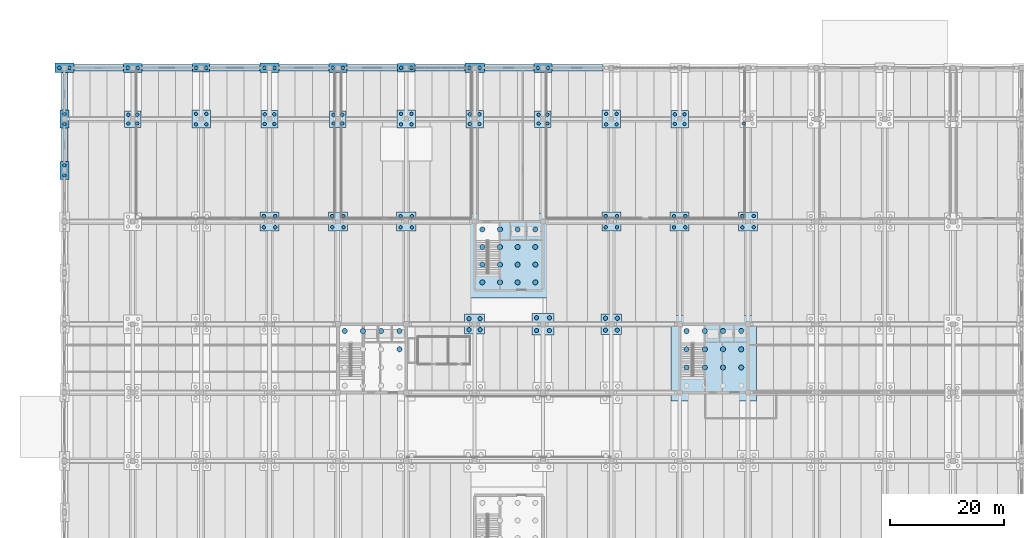
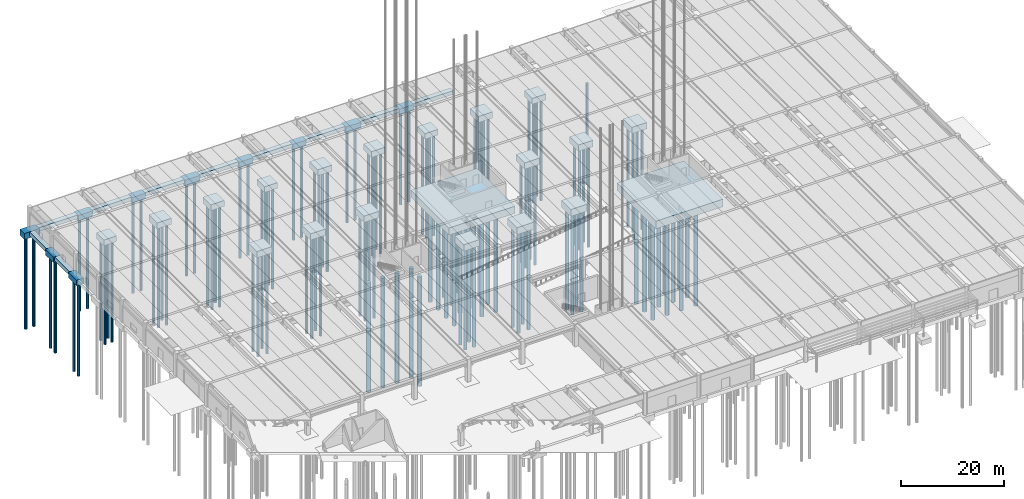
# One storey, part 3 of 59: 126 piles, 40 footings.
"""IFC4 building model written with IfcOpenShell, lengths in metres."""

from ifc_helpers import new_model, si_unit, direction, frame, origin, origin_2d, place, context, subcontext, project, spatial, rectangle, circle, extrude, material, material_profile, profile_set, type_object, element, save


model = new_model("IFC4")

# Units and contexts
model_context = context("Model", 3, precision=1e-05, world=origin(), true_north=direction((0.0, 1.0)))
body_context = subcontext(model_context, "Body", "Model", "MODEL_VIEW")
ifc_project = project(units=[si_unit("LENGTHUNIT", "METRE"), si_unit("AREAUNIT", "SQUARE_METRE"), si_unit("VOLUMEUNIT", "CUBIC_METRE"), si_unit("PLANEANGLEUNIT", "RADIAN"), si_unit("MASSUNIT", "GRAM", prefix="KILO")], contexts=[model_context])

# Site, building, storey
site_placement = place(None, origin())
site = spatial("IfcSite", under=ifc_project, at=site_placement, CompositionType="ELEMENT")
building_placement = place(site_placement, origin())
building = spatial("IfcBuilding", under=site, at=building_placement, Name="Girod Span Mobility Hub", CompositionType="ELEMENT")
storey_placement = place(building_placement, origin())
storey = spatial("IfcBuildingStorey", under=building, at=storey_placement, Name="L00", CompositionType="ELEMENT", Elevation=0.0)

# Footings
ifc_material_1 = material(Name="Concrete C40/50", Category="concrete")
footing_type_1 = type_object("IfcFootingType", Name="FT-MAT-1480", PredefinedType="PAD_FOOTING", material=ifc_material_1)
footing_1_placement = place(storey_placement, frame((78.0, 81.0, -1.7001953125), z_axis=(0.0, 0.0, 1.0), x_axis=(1.0, 0.0, 0.0)))
element("IfcFooting", 1, at=footing_1_placement, inside=storey, type_object=footing_type_1, Name="Core C4 Mat Foundation", PredefinedType="PAD_FOOTING", context=body_context, shape_type="SweptSolid", body=[
    extrude(rectangle(XDim=14.800048828125, YDim=14.800048828125, at=origin_2d()), origin(), (0.0, 0.0, 1.0), 1.699951171875),
])
ifc_material_2 = material(Name="Concrete C40/50", Category="concrete")
footing_type_2 = type_object("IfcFootingType", Name="FT-MAT-1500", PredefinedType="PAD_FOOTING", material=ifc_material_2)
footing_2_placement = place(storey_placement, frame((114.0, 63.0, -1.7998046875), z_axis=(0.0, 0.0, 1.0), x_axis=(1.0, 0.0, 0.0)))
element("IfcFooting", 2, at=footing_2_placement, inside=storey, type_object=footing_type_2, Name="Core C2 Mat Foundation", PredefinedType="PAD_FOOTING", context=body_context, shape_type="SweptSolid", body=[
    extrude(rectangle(XDim=15.0, YDim=15.0, at=origin_2d()), origin(), (0.0, 0.0, 1.0), 1.800048828125),
])
ifc_material_3 = material(Name="Concrete C40/50", Category="concrete")
footing_type_3 = type_object("IfcFootingType", Name="FT-PC2-1600X3200", PredefinedType="PILE_CAP", material=ifc_material_3)
for number, where, z_axis, x_axis, name in (
    (3, (0.0, 105.0, -1.35009765625), (0.0, 0.0, 1.0), (1.0, 0.0, 0.0), "Pile Cap 1H"),
    (4, (0.0, 96.0, -1.35009765625), (0.0, 0.0, 1.0), (1.0, 0.0, 0.0), "Pilaster Pile Cap PIL-W-96"),
):
    element("IfcFooting", number, at=place(storey_placement, frame(where, z_axis=z_axis, x_axis=x_axis)), inside=storey, type_object=footing_type_3, Name=name, PredefinedType="PILE_CAP", context=body_context, shape_type="SweptSolid", body=[
        extrude(rectangle(XDim=1.60009765625, YDim=3.199951171875, at=origin_2d()), origin(), (0.0, 0.0, 1.0), 1.35009765625),
    ])
ifc_material_4 = material(Name="Concrete C40/50", Category="concrete")
footing_type_4 = type_object("IfcFootingType", Name="FT-PC2-3000X1500", PredefinedType="PILE_CAP", material=ifc_material_4)
for number, where, z_axis, x_axis, name in (
    (5, (24.0, 114.0, -1.2998046875), (0.0, 0.0, 1.0), (1.0, 0.0, 0.0), "Pile Cap 3J"),
    (6, (60.0, 114.0, -1.2998046875), (0.0, 0.0, 1.0), (1.0, 0.0, 0.0), "Pile Cap 6J"),
):
    element("IfcFooting", number, at=place(storey_placement, frame(where, z_axis=z_axis, x_axis=x_axis)), inside=storey, type_object=footing_type_4, Name=name, PredefinedType="PILE_CAP", context=body_context, shape_type="SweptSolid", body=[
        extrude(rectangle(XDim=3.0, YDim=1.5, at=origin_2d()), origin(), (0.0, 0.0, 1.0), 1.300048828125),
    ])
ifc_material_5 = material(Name="Concrete C40/50", Category="concrete")
footing_type_5 = type_object("IfcFootingType", Name="FT-PC2-3200X1600", PredefinedType="PILE_CAP", material=ifc_material_5)
for number, where, z_axis, x_axis, name in (
    (7, (12.0, 114.0, -1.35009765625), (0.0, 0.0, 1.0), (1.0, 0.0, 0.0), "Pile Cap 2J"),
    (8, (48.0, 114.0, -1.35009765625), (0.0, 0.0, 1.0), (1.0, 0.0, 0.0), "Pile Cap 5J"),
    (9, (84.0, 114.0, -1.35009765625), (0.0, 0.0, 1.0), (1.0, 0.0, 0.0), "Pile Cap 8J"),
):
    element("IfcFooting", number, at=place(storey_placement, frame(where, z_axis=z_axis, x_axis=x_axis)), inside=storey, type_object=footing_type_5, Name=name, PredefinedType="PILE_CAP", context=body_context, shape_type="SweptSolid", body=[
        extrude(rectangle(XDim=3.199951171875, YDim=1.60009765625, at=origin_2d()), origin(), (0.0, 0.0, 1.0), 1.35009765625),
    ])
ifc_material_6 = material(Name="Concrete C40/50", Category="concrete")
footing_type_6 = type_object("IfcFootingType", Name="FT-PC2-3400X1700", PredefinedType="PILE_CAP", material=ifc_material_6)
for number, where, z_axis, x_axis, name in (
    (10, (0.0, 114.0, -1.39990234375), (0.0, 0.0, 1.0), (1.0, 0.0, 0.0), "Pile Cap 1J"),
    (11, (36.0, 114.0, -1.39990234375), (0.0, 0.0, 1.0), (1.0, 0.0, 0.0), "Pile Cap 4J"),
    (12, (72.0, 114.0, -1.39990234375), (0.0, 0.0, 1.0), (1.0, 0.0, 0.0), "Pile Cap 7J"),
):
    element("IfcFooting", number, at=place(storey_placement, frame(where, z_axis=z_axis, x_axis=x_axis)), inside=storey, type_object=footing_type_6, Name=name, PredefinedType="PILE_CAP", context=body_context, shape_type="SweptSolid", body=[
        extrude(rectangle(XDim=3.39990234375, YDim=1.699951171875, at=origin_2d()), origin(), (0.0, 0.0, 1.0), 1.39990234375),
    ])
ifc_material_7 = material(Name="Concrete C40/50", Category="concrete")
footing_type_7 = type_object("IfcFootingType", Name="FT-PC4-2900", PredefinedType="PILE_CAP", material=ifc_material_7)
for number, where, z_axis, x_axis, name in (
    (13, (12.0, 105.0, -1.35009765625), (0.0, 0.0, 1.0), (1.0, 0.0, 0.0), "Pile Cap 2H"),
    (14, (48.0, 105.0, -1.35009765625), (0.0, 0.0, 1.0), (1.0, 0.0, 0.0), "Pile Cap 5H"),
    (15, (84.0, 105.0, -1.35009765625), (0.0, 0.0, 1.0), (1.0, 0.0, 0.0), "Pile Cap 8H"),
):
    element("IfcFooting", number, at=place(storey_placement, frame(where, z_axis=z_axis, x_axis=x_axis)), inside=storey, type_object=footing_type_7, Name=name, PredefinedType="PILE_CAP", context=body_context, shape_type="SweptSolid", body=[
        extrude(rectangle(XDim=2.89990234375, YDim=2.89990234375, at=origin_2d()), origin(), (0.0, 0.0, 1.0), 1.35009765625),
    ])
ifc_material_8 = material(Name="Concrete C40/50", Category="concrete")
footing_type_8 = type_object("IfcFootingType", Name="FT-PC4-3050", PredefinedType="PILE_CAP", material=ifc_material_8)
for number, where, z_axis, x_axis, name in (
    (16, (36.0, 105.0, -1.39990234375), (0.0, 0.0, 1.0), (1.0, 0.0, 0.0), "Pile Cap 4H"),
    (17, (72.0, 105.0, -1.39990234375), (0.0, 0.0, 1.0), (1.0, 0.0, 0.0), "Pile Cap 7H"),
    (18, (108.0, 105.0, -1.39990234375), (0.0, 0.0, 1.0), (1.0, 0.0, 0.0), "Pile Cap 10H"),
):
    element("IfcFooting", number, at=place(storey_placement, frame(where, z_axis=z_axis, x_axis=x_axis)), inside=storey, type_object=footing_type_8, Name=name, PredefinedType="PILE_CAP", context=body_context, shape_type="SweptSolid", body=[
        extrude(rectangle(XDim=3.050048828125, YDim=3.050048828125, at=origin_2d()), origin(), (0.0, 0.0, 1.0), 1.39990234375),
    ])
ifc_material_9 = material(Name="Concrete C40/50", Category="concrete")
footing_type_9 = type_object("IfcFootingType", Name="FT-PC4-3200", PredefinedType="PILE_CAP", material=ifc_material_9)
for number, where, z_axis, x_axis, name in (
    (19, (24.0, 105.0, -1.4501953125), (0.0, 0.0, 1.0), (1.0, 0.0, 0.0), "Pile Cap 3H"),
    (20, (60.0, 105.0, -1.4501953125), (0.0, 0.0, 1.0), (1.0, 0.0, 0.0), "Pile Cap 6H"),
    (21, (96.0, 105.0, -1.4501953125), (0.0, 0.0, 1.0), (1.0, 0.0, 0.0), "Pile Cap 9H"),
):
    element("IfcFooting", number, at=place(storey_placement, frame(where, z_axis=z_axis, x_axis=x_axis)), inside=storey, type_object=footing_type_9, Name=name, PredefinedType="PILE_CAP", context=body_context, shape_type="SweptSolid", body=[
        extrude(rectangle(XDim=3.199951171875, YDim=3.199951171875, at=origin_2d()), origin(), (0.0, 0.0, 1.0), 1.449951171875),
    ])
ifc_material_10 = material(Name="Concrete C40/50", Category="concrete")
footing_type_10 = type_object("IfcFootingType", Name="FT-PC4-3350", PredefinedType="PILE_CAP", material=ifc_material_10)
for number, where, z_axis, x_axis, name in (
    (22, (36.0, 87.0, -1.5), (0.0, 0.0, 1.0), (1.0, 0.0, 0.0), "Pile Cap 4G"),
    (23, (48.0, 87.0, -1.5), (0.0, 0.0, 1.0), (1.0, 0.0, 0.0), "Pile Cap 5G"),
    (24, (60.0, 87.0, -1.5), (0.0, 0.0, 1.0), (1.0, 0.0, 0.0), "Pile Cap 6G"),
    (25, (96.0, 87.0, -1.5), (0.0, 0.0, 1.0), (1.0, 0.0, 0.0), "Pile Cap 9G"),
    (26, (108.0, 87.0, -1.5), (0.0, 0.0, 1.0), (1.0, 0.0, 0.0), "Pile Cap 10G"),
    (27, (120.0, 87.0, -1.5), (0.0, 0.0, 1.0), (1.0, 0.0, 0.0), "Pile Cap 11G"),
):
    element("IfcFooting", number, at=place(storey_placement, frame(where, z_axis=z_axis, x_axis=x_axis)), inside=storey, type_object=footing_type_10, Name=name, PredefinedType="PILE_CAP", context=body_context, shape_type="SweptSolid", body=[
        extrude(rectangle(XDim=3.35009765625, YDim=3.35009765625, at=origin_2d()), origin(), (0.0, 0.0, 1.0), 1.5),
    ])
ifc_material_11 = material(Name="Concrete C40/50", Category="concrete")
footing_type_11 = type_object("IfcFootingType", Name="FT-PC4-3500", PredefinedType="PILE_CAP", material=ifc_material_11)
footing_3_placement = place(storey_placement, frame((72.0, 69.0, -1.5498046875), z_axis=(0.0, 0.0, 1.0), x_axis=(1.0, 0.0, 0.0)))
element("IfcFooting", 28, at=footing_3_placement, inside=storey, type_object=footing_type_11, Name="Pile Cap 7F", PredefinedType="PILE_CAP", context=body_context, shape_type="SweptSolid", body=[
    extrude(rectangle(XDim=3.5, YDim=3.5, at=origin_2d()), origin(), (0.0, 0.0, 1.0), 1.550048828125),
])
ifc_material_12 = material(Name="Concrete C40/50", Category="concrete")
footing_type_12 = type_object("IfcFootingType", Name="FT-PC4-3650", PredefinedType="PILE_CAP", material=ifc_material_12)
footing_4_placement = place(storey_placement, frame((96.0, 69.0, -1.60009765625), z_axis=(0.0, 0.0, 1.0), x_axis=(1.0, 0.0, 0.0)))
element("IfcFooting", 29, at=footing_4_placement, inside=storey, type_object=footing_type_12, Name="Pile Cap 9F", PredefinedType="PILE_CAP", context=body_context, shape_type="SweptSolid", body=[
    extrude(rectangle(XDim=3.64990234375, YDim=3.64990234375, at=origin_2d()), origin(), (0.0, 0.0, 1.0), 1.60009765625),
])
ifc_material_13 = material(Name="Concrete C40/50", Category="concrete")
footing_type_13 = type_object("IfcFootingType", Name="FT-PC4-3800", PredefinedType="PILE_CAP", material=ifc_material_13)
footing_5_placement = place(storey_placement, frame((84.0, 69.0, -1.64990234375), z_axis=(0.0, 0.0, 1.0), x_axis=(1.0, 0.0, 0.0)))
element("IfcFooting", 30, at=footing_5_placement, inside=storey, type_object=footing_type_13, Name="Pile Cap 8F", PredefinedType="PILE_CAP", context=body_context, shape_type="SweptSolid", body=[
    extrude(rectangle(XDim=3.800048828125, YDim=3.800048828125, at=origin_2d()), origin(), (0.0, 0.0, 1.0), 1.64990234375),
])
ifc_material_14 = material(Name="Concrete C40/50", Category="concrete")
footing_type_14 = type_object("IfcFootingType", Name="FT-SF-X900", PredefinedType="STRIP_FOOTING", material=ifc_material_14)
footing_6_placement = place(storey_placement, frame((6.050048828125, 114.0, -0.89990234375), z_axis=(0.0, 0.0, 1.0), x_axis=(1.0, 0.0, 0.0)))
element("IfcFooting", 31, at=footing_6_placement, inside=storey, type_object=footing_type_14, Name="Perimeter Strip Footing SF-15", PredefinedType="STRIP_FOOTING", context=body_context, shape_type="SweptSolid", body=[
    extrude(rectangle(XDim=8.699951171875, YDim=1.10009765625, at=origin_2d()), origin(), (0.0, 0.0, 1.0), 0.89990234375),
])
footing_7_placement = place(storey_placement, frame((18.050048828125, 114.0, -0.89990234375), z_axis=(0.0, 0.0, 1.0), x_axis=(1.0, 0.0, 0.0)))
element("IfcFooting", 32, at=footing_7_placement, inside=storey, type_object=footing_type_14, Name="Perimeter Strip Footing SF-16", PredefinedType="STRIP_FOOTING", context=body_context, shape_type="SweptSolid", body=[
    extrude(rectangle(XDim=8.89990234375, YDim=1.10009765625, at=origin_2d()), origin(), (0.0, 0.0, 1.0), 0.89990234375),
])
footing_8_placement = place(storey_placement, frame((29.89990234375, 114.0, -0.89990234375), z_axis=(0.0, 0.0, 1.0), x_axis=(1.0, 0.0, 0.0)))
element("IfcFooting", 33, at=footing_8_placement, inside=storey, type_object=footing_type_14, Name="Perimeter Strip Footing SF-17", PredefinedType="STRIP_FOOTING", context=body_context, shape_type="SweptSolid", body=[
    extrude(rectangle(XDim=8.800048828125, YDim=1.10009765625, at=origin_2d()), origin(), (0.0, 0.0, 1.0), 0.89990234375),
])
footing_9_placement = place(storey_placement, frame((42.050048828125, 114.0, -0.89990234375), z_axis=(0.0, 0.0, 1.0), x_axis=(1.0, 0.0, 0.0)))
element("IfcFooting", 34, at=footing_9_placement, inside=storey, type_object=footing_type_14, Name="Perimeter Strip Footing SF-18", PredefinedType="STRIP_FOOTING", context=body_context, shape_type="SweptSolid", body=[
    extrude(rectangle(XDim=8.699951171875, YDim=1.10009765625, at=origin_2d()), origin(), (0.0, 0.0, 1.0), 0.89990234375),
])
footing_10_placement = place(storey_placement, frame((54.050048828125, 114.0, -0.89990234375), z_axis=(0.0, 0.0, 1.0), x_axis=(1.0, 0.0, 0.0)))
element("IfcFooting", 35, at=footing_10_placement, inside=storey, type_object=footing_type_14, Name="Perimeter Strip Footing SF-19", PredefinedType="STRIP_FOOTING", context=body_context, shape_type="SweptSolid", body=[
    extrude(rectangle(XDim=8.89990234375, YDim=1.10009765625, at=origin_2d()), origin(), (0.0, 0.0, 1.0), 0.89990234375),
])
footing_11_placement = place(storey_placement, frame((65.89990234375, 114.0, -0.89990234375), z_axis=(0.0, 0.0, 1.0), x_axis=(1.0, 0.0, 0.0)))
element("IfcFooting", 36, at=footing_11_placement, inside=storey, type_object=footing_type_14, Name="Perimeter Strip Footing SF-20", PredefinedType="STRIP_FOOTING", context=body_context, shape_type="SweptSolid", body=[
    extrude(rectangle(XDim=8.800048828125, YDim=1.10009765625, at=origin_2d()), origin(), (0.0, 0.0, 1.0), 0.89990234375),
])
footing_12_placement = place(storey_placement, frame((78.050048828125, 114.0, -0.89990234375), z_axis=(0.0, 0.0, 1.0), x_axis=(1.0, 0.0, 0.0)))
element("IfcFooting", 37, at=footing_12_placement, inside=storey, type_object=footing_type_14, Name="Perimeter Strip Footing SF-21", PredefinedType="STRIP_FOOTING", context=body_context, shape_type="SweptSolid", body=[
    extrude(rectangle(XDim=8.699951171875, YDim=1.10009765625, at=origin_2d()), origin(), (0.0, 0.0, 1.0), 0.89990234375),
])
footing_13_placement = place(storey_placement, frame((90.050048828125, 114.0, -0.89990234375), z_axis=(0.0, 0.0, 1.0), x_axis=(1.0, 0.0, 0.0)))
element("IfcFooting", 38, at=footing_13_placement, inside=storey, type_object=footing_type_14, Name="Perimeter Strip Footing SF-22", PredefinedType="STRIP_FOOTING", context=body_context, shape_type="SweptSolid", body=[
    extrude(rectangle(XDim=8.89990234375, YDim=1.10009765625, at=origin_2d()), origin(), (0.0, 0.0, 1.0), 0.89990234375),
])
ifc_material_15 = material(Name="Concrete C40/50", Category="concrete")
footing_type_15 = type_object("IfcFootingType", Name="FT-SF-Y900", PredefinedType="STRIP_FOOTING", material=ifc_material_15)
footing_14_placement = place(storey_placement, frame((0.0, 100.5, -0.89990234375), z_axis=(0.0, 0.0, 1.0), x_axis=(1.0, 0.0, 0.0)))
element("IfcFooting", 39, at=footing_14_placement, inside=storey, type_object=footing_type_15, Name="Perimeter Strip Footing SF-39", PredefinedType="STRIP_FOOTING", context=body_context, shape_type="SweptSolid", body=[
    extrude(rectangle(XDim=1.10009765625, YDim=5.800048828125, at=origin_2d()), origin(), (0.0, 0.0, 1.0), 0.89990234375),
])
footing_15_placement = place(storey_placement, frame((0.0, 109.875, -0.89990234375), z_axis=(0.0, 0.0, 1.0), x_axis=(1.0, 0.0, 0.0)))
element("IfcFooting", 40, at=footing_15_placement, inside=storey, type_object=footing_type_15, Name="Perimeter Strip Footing SF-40", PredefinedType="STRIP_FOOTING", context=body_context, shape_type="SweptSolid", body=[
    extrude(rectangle(XDim=1.10009765625, YDim=6.550048828125, at=origin_2d()), origin(), (0.0, 0.0, 1.0), 0.89990234375),
])

# Piles
ifc_material_16 = material(Name="Concrete C40/50", Category="concrete")
ifc_material_profile_1 = material_profile(ifc_material_16, circle(Radius=0.449951171875, at=origin_2d()), Name="PILE-D900")
ifc_profile_set_1 = profile_set([ifc_material_profile_1], Name="Concrete C40/50")
pile_type_1 = type_object("IfcPileType", Name="PL-B900-24M", PredefinedType="BORED", material=ifc_profile_set_1)
for number, where, z_axis, x_axis, name in (
    (41, (73.35009765625, 76.35009765625, -1.60009765625), (0.0, 0.0, -1.0), (1.0, 0.0, 0.0), "Core C4 Bored Pile 1"),
    (42, (73.35009765625, 79.449951171875, -1.60009765625), (0.0, 0.0, -1.0), (1.0, 0.0, 0.0), "Core C4 Bored Pile 2"),
    (43, (73.35009765625, 82.550048828125, -1.60009765625), (0.0, 0.0, -1.0), (1.0, 0.0, 0.0), "Core C4 Bored Pile 3"),
    (44, (73.35009765625, 85.64990234375, -1.60009765625), (0.0, 0.0, -1.0), (1.0, 0.0, 0.0), "Core C4 Bored Pile 4"),
    (45, (76.449951171875, 76.35009765625, -1.60009765625), (0.0, 0.0, -1.0), (1.0, 0.0, 0.0), "Core C4 Bored Pile 5"),
    (46, (76.449951171875, 79.449951171875, -1.60009765625), (0.0, 0.0, -1.0), (1.0, 0.0, 0.0), "Core C4 Bored Pile 6"),
    (47, (76.449951171875, 82.550048828125, -1.60009765625), (0.0, 0.0, -1.0), (1.0, 0.0, 0.0), "Core C4 Bored Pile 7"),
    (48, (76.449951171875, 85.64990234375, -1.60009765625), (0.0, 0.0, -1.0), (1.0, 0.0, 0.0), "Core C4 Bored Pile 8"),
    (49, (79.550048828125, 76.35009765625, -1.60009765625), (0.0, 0.0, -1.0), (1.0, 0.0, 0.0), "Core C4 Bored Pile 9"),
    (50, (79.550048828125, 79.449951171875, -1.60009765625), (0.0, 0.0, -1.0), (1.0, 0.0, 0.0), "Core C4 Bored Pile 10"),
    (51, (79.550048828125, 82.550048828125, -1.60009765625), (0.0, 0.0, -1.0), (1.0, 0.0, 0.0), "Core C4 Bored Pile 11"),
    (52, (79.550048828125, 85.64990234375, -1.60009765625), (0.0, 0.0, -1.0), (1.0, 0.0, 0.0), "Core C4 Bored Pile 12"),
    (53, (82.64990234375, 76.35009765625, -1.60009765625), (0.0, 0.0, -1.0), (1.0, 0.0, 0.0), "Core C4 Bored Pile 13"),
    (54, (82.64990234375, 79.449951171875, -1.60009765625), (0.0, 0.0, -1.0), (1.0, 0.0, 0.0), "Core C4 Bored Pile 14"),
    (55, (82.64990234375, 82.550048828125, -1.60009765625), (0.0, 0.0, -1.0), (1.0, 0.0, 0.0), "Core C4 Bored Pile 15"),
    (56, (82.64990234375, 85.64990234375, -1.60009765625), (0.0, 0.0, -1.0), (1.0, 0.0, 0.0), "Core C4 Bored Pile 16"),
):
    element("IfcPile", number, at=place(storey_placement, frame(where, z_axis=z_axis, x_axis=x_axis)), inside=storey, type_object=pile_type_1, Name=name, PredefinedType="BORED", context=body_context, shape_type="SweptSolid", body=[
        extrude(circle(Radius=0.449951171875, at=origin_2d()), origin(), (0.0, 0.0, 1.0), 24.0),
    ])
ifc_material_17 = material(Name="Concrete C40/50", Category="concrete")
ifc_material_profile_2 = material_profile(ifc_material_17, circle(Radius=0.449951171875, at=origin_2d()), Name="PILE-D900")
ifc_profile_set_2 = profile_set([ifc_material_profile_2], Name="Concrete C40/50")
pile_type_2 = type_object("IfcPileType", Name="PL-B900-26M", PredefinedType="BORED", material=ifc_profile_set_2)
for number, where, z_axis, x_axis, name in (
    (57, (49.199951171875, 67.800048828125, -1.699951171875), (0.0, 0.0, -1.0), (1.0, 0.0, 0.0), "Core C1 Bored Pile 4"),
    (58, (52.39990234375, 67.800048828125, -1.699951171875), (0.0, 0.0, -1.0), (1.0, 0.0, 0.0), "Core C1 Bored Pile 8"),
    (59, (55.60009765625, 67.800048828125, -1.699951171875), (0.0, 0.0, -1.0), (1.0, 0.0, 0.0), "Core C1 Bored Pile 12"),
    (60, (58.800048828125, 64.60009765625, -1.699951171875), (0.0, 0.0, -1.0), (1.0, 0.0, 0.0), "Core C1 Bored Pile 15"),
    (61, (58.800048828125, 67.800048828125, -1.699951171875), (0.0, 0.0, -1.0), (1.0, 0.0, 0.0), "Core C1 Bored Pile 16"),
    (62, (109.199951171875, 61.39990234375, -1.699951171875), (0.0, 0.0, -1.0), (1.0, 0.0, 0.0), "Core C2 Bored Pile 2"),
    (63, (109.199951171875, 64.60009765625, -1.699951171875), (0.0, 0.0, -1.0), (1.0, 0.0, 0.0), "Core C2 Bored Pile 3"),
    (64, (109.199951171875, 67.800048828125, -1.699951171875), (0.0, 0.0, -1.0), (1.0, 0.0, 0.0), "Core C2 Bored Pile 4"),
    (65, (112.39990234375, 61.39990234375, -1.699951171875), (0.0, 0.0, -1.0), (1.0, 0.0, 0.0), "Core C2 Bored Pile 6"),
    (66, (112.39990234375, 64.60009765625, -1.699951171875), (0.0, 0.0, -1.0), (1.0, 0.0, 0.0), "Core C2 Bored Pile 7"),
    (67, (112.39990234375, 67.800048828125, -1.699951171875), (0.0, 0.0, -1.0), (1.0, 0.0, 0.0), "Core C2 Bored Pile 8"),
    (68, (115.60009765625, 61.39990234375, -1.699951171875), (0.0, 0.0, -1.0), (1.0, 0.0, 0.0), "Core C2 Bored Pile 10"),
    (69, (115.60009765625, 64.60009765625, -1.699951171875), (0.0, 0.0, -1.0), (1.0, 0.0, 0.0), "Core C2 Bored Pile 11"),
    (70, (115.60009765625, 67.800048828125, -1.699951171875), (0.0, 0.0, -1.0), (1.0, 0.0, 0.0), "Core C2 Bored Pile 12"),
    (71, (118.800048828125, 61.39990234375, -1.699951171875), (0.0, 0.0, -1.0), (1.0, 0.0, 0.0), "Core C2 Bored Pile 14"),
    (72, (118.800048828125, 64.60009765625, -1.699951171875), (0.0, 0.0, -1.0), (1.0, 0.0, 0.0), "Core C2 Bored Pile 15"),
    (73, (118.800048828125, 67.800048828125, -1.699951171875), (0.0, 0.0, -1.0), (1.0, 0.0, 0.0), "Core C2 Bored Pile 16"),
):
    element("IfcPile", number, at=place(storey_placement, frame(where, z_axis=z_axis, x_axis=x_axis)), inside=storey, type_object=pile_type_2, Name=name, PredefinedType="BORED", context=body_context, shape_type="SweptSolid", body=[
        extrude(circle(Radius=0.449951171875, at=origin_2d()), origin(), (0.0, 0.0, 1.0), 26.0),
    ])
ifc_material_18 = material(Name="Concrete C40/50", Category="concrete")
ifc_material_profile_3 = material_profile(ifc_material_18, circle(Radius=0.300048828125, at=origin_2d()), Name="PILE-D600")
ifc_profile_set_3 = profile_set([ifc_material_profile_3], Name="Concrete C40/50")
pile_type_3 = type_object("IfcPileType", Name="PL-D600-22M", PredefinedType="DRIVEN", material=ifc_profile_set_3)
for number, where, z_axis, x_axis, name in (
    (74, (0.0, 104.10009765625, -1.25), (0.0, 0.0, -1.0), (1.0, 0.0, 0.0), "Driven Pile 1H-1"),
    (75, (0.0, 105.89990234375, -1.25), (0.0, 0.0, -1.0), (1.0, 0.0, 0.0), "Driven Pile 1H-2"),
    (76, (-0.89990234375, 114.0, -1.300048828125), (0.0, 0.0, -1.0), (1.0, 0.0, 0.0), "Driven Pile 1J-1"),
    (77, (0.89990234375, 114.0, -1.300048828125), (0.0, 0.0, -1.0), (1.0, 0.0, 0.0), "Driven Pile 1J-2"),
    (78, (11.10009765625, 114.0, -1.25), (0.0, 0.0, -1.0), (1.0, 0.0, 0.0), "Driven Pile 2J-1"),
    (79, (12.89990234375, 114.0, -1.25), (0.0, 0.0, -1.0), (1.0, 0.0, 0.0), "Driven Pile 2J-2"),
    (80, (23.10009765625, 114.0, -1.199951171875), (0.0, 0.0, -1.0), (1.0, 0.0, 0.0), "Driven Pile 3J-1"),
    (81, (24.89990234375, 114.0, -1.199951171875), (0.0, 0.0, -1.0), (1.0, 0.0, 0.0), "Driven Pile 3J-2"),
    (82, (35.10009765625, 114.0, -1.300048828125), (0.0, 0.0, -1.0), (1.0, 0.0, 0.0), "Driven Pile 4J-1"),
    (83, (36.89990234375, 114.0, -1.300048828125), (0.0, 0.0, -1.0), (1.0, 0.0, 0.0), "Driven Pile 4J-2"),
    (84, (47.10009765625, 114.0, -1.25), (0.0, 0.0, -1.0), (1.0, 0.0, 0.0), "Driven Pile 5J-1"),
    (85, (48.89990234375, 114.0, -1.25), (0.0, 0.0, -1.0), (1.0, 0.0, 0.0), "Driven Pile 5J-2"),
    (86, (59.10009765625, 114.0, -1.199951171875), (0.0, 0.0, -1.0), (1.0, 0.0, 0.0), "Driven Pile 6J-1"),
    (87, (60.89990234375, 114.0, -1.199951171875), (0.0, 0.0, -1.0), (1.0, 0.0, 0.0), "Driven Pile 6J-2"),
    (88, (71.10009765625, 114.0, -1.300048828125), (0.0, 0.0, -1.0), (1.0, 0.0, 0.0), "Driven Pile 7J-1"),
    (89, (72.89990234375, 114.0, -1.300048828125), (0.0, 0.0, -1.0), (1.0, 0.0, 0.0), "Driven Pile 7J-2"),
    (90, (83.10009765625, 114.0, -1.25), (0.0, 0.0, -1.0), (1.0, 0.0, 0.0), "Driven Pile 8J-1"),
    (91, (84.89990234375, 114.0, -1.25), (0.0, 0.0, -1.0), (1.0, 0.0, 0.0), "Driven Pile 8J-2"),
    (92, (0.0, 95.10009765625, -1.25), (0.0, 0.0, -1.0), (1.0, 0.0, 0.0), "Pilaster Driven Pile PIL-W-96-1"),
    (93, (0.0, 96.89990234375, -1.25), (0.0, 0.0, -1.0), (1.0, 0.0, 0.0), "Pilaster Driven Pile PIL-W-96-2"),
):
    element("IfcPile", number, at=place(storey_placement, frame(where, z_axis=z_axis, x_axis=x_axis)), inside=storey, type_object=pile_type_3, Name=name, PredefinedType="DRIVEN", context=body_context, shape_type="SweptSolid", body=[
        extrude(circle(Radius=0.300048828125, at=origin_2d()), origin(), (0.0, 0.0, 1.0), 22.0),
    ])
ifc_material_19 = material(Name="Concrete C40/50", Category="concrete")
ifc_material_profile_4 = material_profile(ifc_material_19, circle(Radius=0.300048828125, at=origin_2d()), Name="PILE-D600")
ifc_profile_set_4 = profile_set([ifc_material_profile_4], Name="Concrete C40/50")
pile_type_4 = type_object("IfcPileType", Name="PL-D600-24M", PredefinedType="DRIVEN", material=ifc_profile_set_4)
for number, where, z_axis, x_axis, name in (
    (94, (11.22998046875, 104.22998046875, -1.25), (0.0, 0.0, -1.0), (1.0, 0.0, 0.0), "Driven Pile 2H-1"),
    (95, (12.77001953125, 104.22998046875, -1.25), (0.0, 0.0, -1.0), (1.0, 0.0, 0.0), "Driven Pile 2H-2"),
    (96, (11.22998046875, 105.77001953125, -1.25), (0.0, 0.0, -1.0), (1.0, 0.0, 0.0), "Driven Pile 2H-3"),
    (97, (12.77001953125, 105.77001953125, -1.25), (0.0, 0.0, -1.0), (1.0, 0.0, 0.0), "Driven Pile 2H-4"),
    (98, (23.080078125, 104.080078125, -1.35009765625), (0.0, 0.0, -1.0), (1.0, 0.0, 0.0), "Driven Pile 3H-1"),
    (99, (24.919921875, 104.080078125, -1.35009765625), (0.0, 0.0, -1.0), (1.0, 0.0, 0.0), "Driven Pile 3H-2"),
    (100, (23.080078125, 105.919921875, -1.35009765625), (0.0, 0.0, -1.0), (1.0, 0.0, 0.0), "Driven Pile 3H-3"),
    (101, (24.919921875, 105.919921875, -1.35009765625), (0.0, 0.0, -1.0), (1.0, 0.0, 0.0), "Driven Pile 3H-4"),
    (102, (35.0048828125, 86.0048828125, -1.39990234375), (0.0, 0.0, -1.0), (1.0, 0.0, 0.0), "Driven Pile 4G-1"),
    (103, (36.9951171875, 86.0048828125, -1.39990234375), (0.0, 0.0, -1.0), (1.0, 0.0, 0.0), "Driven Pile 4G-2"),
    (104, (35.0048828125, 87.9951171875, -1.39990234375), (0.0, 0.0, -1.0), (1.0, 0.0, 0.0), "Driven Pile 4G-3"),
    (105, (36.9951171875, 87.9951171875, -1.39990234375), (0.0, 0.0, -1.0), (1.0, 0.0, 0.0), "Driven Pile 4G-4"),
    (106, (35.155029296875, 104.155029296875, -1.300048828125), (0.0, 0.0, -1.0), (1.0, 0.0, 0.0), "Driven Pile 4H-1"),
    (107, (36.844970703125, 104.155029296875, -1.300048828125), (0.0, 0.0, -1.0), (1.0, 0.0, 0.0), "Driven Pile 4H-2"),
    (108, (35.155029296875, 105.844970703125, -1.300048828125), (0.0, 0.0, -1.0), (1.0, 0.0, 0.0), "Driven Pile 4H-3"),
    (109, (36.844970703125, 105.844970703125, -1.300048828125), (0.0, 0.0, -1.0), (1.0, 0.0, 0.0), "Driven Pile 4H-4"),
    (110, (47.0048828125, 86.0048828125, -1.39990234375), (0.0, 0.0, -1.0), (1.0, 0.0, 0.0), "Driven Pile 5G-1"),
    (111, (48.9951171875, 86.0048828125, -1.39990234375), (0.0, 0.0, -1.0), (1.0, 0.0, 0.0), "Driven Pile 5G-2"),
    (112, (47.0048828125, 87.9951171875, -1.39990234375), (0.0, 0.0, -1.0), (1.0, 0.0, 0.0), "Driven Pile 5G-3"),
    (113, (48.9951171875, 87.9951171875, -1.39990234375), (0.0, 0.0, -1.0), (1.0, 0.0, 0.0), "Driven Pile 5G-4"),
    (114, (47.22998046875, 104.22998046875, -1.25), (0.0, 0.0, -1.0), (1.0, 0.0, 0.0), "Driven Pile 5H-1"),
    (115, (48.77001953125, 104.22998046875, -1.25), (0.0, 0.0, -1.0), (1.0, 0.0, 0.0), "Driven Pile 5H-2"),
    (116, (47.22998046875, 105.77001953125, -1.25), (0.0, 0.0, -1.0), (1.0, 0.0, 0.0), "Driven Pile 5H-3"),
    (117, (48.77001953125, 105.77001953125, -1.25), (0.0, 0.0, -1.0), (1.0, 0.0, 0.0), "Driven Pile 5H-4"),
    (118, (59.0048828125, 86.0048828125, -1.39990234375), (0.0, 0.0, -1.0), (1.0, 0.0, 0.0), "Driven Pile 6G-1"),
    (119, (60.9951171875, 86.0048828125, -1.39990234375), (0.0, 0.0, -1.0), (1.0, 0.0, 0.0), "Driven Pile 6G-2"),
    (120, (59.0048828125, 87.9951171875, -1.39990234375), (0.0, 0.0, -1.0), (1.0, 0.0, 0.0), "Driven Pile 6G-3"),
    (121, (60.9951171875, 87.9951171875, -1.39990234375), (0.0, 0.0, -1.0), (1.0, 0.0, 0.0), "Driven Pile 6G-4"),
    (122, (59.080078125, 104.080078125, -1.35009765625), (0.0, 0.0, -1.0), (1.0, 0.0, 0.0), "Driven Pile 6H-1"),
    (123, (60.919921875, 104.080078125, -1.35009765625), (0.0, 0.0, -1.0), (1.0, 0.0, 0.0), "Driven Pile 6H-2"),
    (124, (59.080078125, 105.919921875, -1.35009765625), (0.0, 0.0, -1.0), (1.0, 0.0, 0.0), "Driven Pile 6H-3"),
    (125, (60.919921875, 105.919921875, -1.35009765625), (0.0, 0.0, -1.0), (1.0, 0.0, 0.0), "Driven Pile 6H-4"),
    (126, (71.155029296875, 104.155029296875, -1.300048828125), (0.0, 0.0, -1.0), (1.0, 0.0, 0.0), "Driven Pile 7H-1"),
    (127, (72.844970703125, 104.155029296875, -1.300048828125), (0.0, 0.0, -1.0), (1.0, 0.0, 0.0), "Driven Pile 7H-2"),
    (128, (71.155029296875, 105.844970703125, -1.300048828125), (0.0, 0.0, -1.0), (1.0, 0.0, 0.0), "Driven Pile 7H-3"),
    (129, (72.844970703125, 105.844970703125, -1.300048828125), (0.0, 0.0, -1.0), (1.0, 0.0, 0.0), "Driven Pile 7H-4"),
    (130, (83.22998046875, 104.22998046875, -1.25), (0.0, 0.0, -1.0), (1.0, 0.0, 0.0), "Driven Pile 8H-1"),
    (131, (84.77001953125, 104.22998046875, -1.25), (0.0, 0.0, -1.0), (1.0, 0.0, 0.0), "Driven Pile 8H-2"),
    (132, (83.22998046875, 105.77001953125, -1.25), (0.0, 0.0, -1.0), (1.0, 0.0, 0.0), "Driven Pile 8H-3"),
    (133, (84.77001953125, 105.77001953125, -1.25), (0.0, 0.0, -1.0), (1.0, 0.0, 0.0), "Driven Pile 8H-4"),
    (134, (95.0048828125, 86.0048828125, -1.39990234375), (0.0, 0.0, -1.0), (1.0, 0.0, 0.0), "Driven Pile 9G-1"),
    (135, (96.9951171875, 86.0048828125, -1.39990234375), (0.0, 0.0, -1.0), (1.0, 0.0, 0.0), "Driven Pile 9G-2"),
    (136, (95.0048828125, 87.9951171875, -1.39990234375), (0.0, 0.0, -1.0), (1.0, 0.0, 0.0), "Driven Pile 9G-3"),
    (137, (96.9951171875, 87.9951171875, -1.39990234375), (0.0, 0.0, -1.0), (1.0, 0.0, 0.0), "Driven Pile 9G-4"),
    (138, (95.080078125, 104.080078125, -1.35009765625), (0.0, 0.0, -1.0), (1.0, 0.0, 0.0), "Driven Pile 9H-1"),
    (139, (96.919921875, 104.080078125, -1.35009765625), (0.0, 0.0, -1.0), (1.0, 0.0, 0.0), "Driven Pile 9H-2"),
    (140, (95.080078125, 105.919921875, -1.35009765625), (0.0, 0.0, -1.0), (1.0, 0.0, 0.0), "Driven Pile 9H-3"),
    (141, (96.919921875, 105.919921875, -1.35009765625), (0.0, 0.0, -1.0), (1.0, 0.0, 0.0), "Driven Pile 9H-4"),
    (142, (107.0048828125, 86.0048828125, -1.39990234375), (0.0, 0.0, -1.0), (1.0, 0.0, 0.0), "Driven Pile 10G-1"),
    (143, (108.9951171875, 86.0048828125, -1.39990234375), (0.0, 0.0, -1.0), (1.0, 0.0, 0.0), "Driven Pile 10G-2"),
    (144, (107.0048828125, 87.9951171875, -1.39990234375), (0.0, 0.0, -1.0), (1.0, 0.0, 0.0), "Driven Pile 10G-3"),
    (145, (108.9951171875, 87.9951171875, -1.39990234375), (0.0, 0.0, -1.0), (1.0, 0.0, 0.0), "Driven Pile 10G-4"),
    (146, (107.155029296875, 104.155029296875, -1.300048828125), (0.0, 0.0, -1.0), (1.0, 0.0, 0.0), "Driven Pile 10H-1"),
    (147, (108.844970703125, 104.155029296875, -1.300048828125), (0.0, 0.0, -1.0), (1.0, 0.0, 0.0), "Driven Pile 10H-2"),
    (148, (107.155029296875, 105.844970703125, -1.300048828125), (0.0, 0.0, -1.0), (1.0, 0.0, 0.0), "Driven Pile 10H-3"),
    (149, (108.844970703125, 105.844970703125, -1.300048828125), (0.0, 0.0, -1.0), (1.0, 0.0, 0.0), "Driven Pile 10H-4"),
    (150, (119.0048828125, 86.0048828125, -1.39990234375), (0.0, 0.0, -1.0), (1.0, 0.0, 0.0), "Driven Pile 11G-1"),
    (151, (120.9951171875, 86.0048828125, -1.39990234375), (0.0, 0.0, -1.0), (1.0, 0.0, 0.0), "Driven Pile 11G-2"),
    (152, (119.0048828125, 87.9951171875, -1.39990234375), (0.0, 0.0, -1.0), (1.0, 0.0, 0.0), "Driven Pile 11G-3"),
    (153, (120.9951171875, 87.9951171875, -1.39990234375), (0.0, 0.0, -1.0), (1.0, 0.0, 0.0), "Driven Pile 11G-4"),
    (154, (119.22998046875, 104.22998046875, -1.25), (0.0, 0.0, -1.0), (1.0, 0.0, 0.0), "Driven Pile 11H-1"),
):
    element("IfcPile", number, at=place(storey_placement, frame(where, z_axis=z_axis, x_axis=x_axis)), inside=storey, type_object=pile_type_4, Name=name, PredefinedType="DRIVEN", context=body_context, shape_type="SweptSolid", body=[
        extrude(circle(Radius=0.300048828125, at=origin_2d()), origin(), (0.0, 0.0, 1.0), 24.0),
    ])
ifc_material_20 = material(Name="Concrete C40/50", Category="concrete")
ifc_material_profile_5 = material_profile(ifc_material_20, circle(Radius=0.375, at=origin_2d()), Name="PILE-D750")
ifc_profile_set_5 = profile_set([ifc_material_profile_5], Name="Concrete C40/50")
pile_type_5 = type_object("IfcPileType", Name="PL-D750-24M", PredefinedType="DRIVEN", material=ifc_profile_set_5)
for number, where, z_axis, x_axis, name in (
    (155, (71.030029296875, 68.030029296875, -1.449951171875), (0.0, 0.0, -1.0), (1.0, 0.0, 0.0), "Driven Pile 7F-1"),
    (156, (72.969970703125, 68.030029296875, -1.449951171875), (0.0, 0.0, -1.0), (1.0, 0.0, 0.0), "Driven Pile 7F-2"),
    (157, (71.030029296875, 69.969970703125, -1.449951171875), (0.0, 0.0, -1.0), (1.0, 0.0, 0.0), "Driven Pile 7F-3"),
    (158, (72.969970703125, 69.969970703125, -1.449951171875), (0.0, 0.0, -1.0), (1.0, 0.0, 0.0), "Driven Pile 7F-4"),
    (159, (82.8798828125, 67.8798828125, -1.550048828125), (0.0, 0.0, -1.0), (1.0, 0.0, 0.0), "Driven Pile 8F-1"),
    (160, (85.1201171875, 67.8798828125, -1.550048828125), (0.0, 0.0, -1.0), (1.0, 0.0, 0.0), "Driven Pile 8F-2"),
    (161, (82.8798828125, 70.1201171875, -1.550048828125), (0.0, 0.0, -1.0), (1.0, 0.0, 0.0), "Driven Pile 8F-3"),
    (162, (85.1201171875, 70.1201171875, -1.550048828125), (0.0, 0.0, -1.0), (1.0, 0.0, 0.0), "Driven Pile 8F-4"),
    (163, (94.955078125, 67.955078125, -1.5), (0.0, 0.0, -1.0), (1.0, 0.0, 0.0), "Driven Pile 9F-1"),
    (164, (97.044921875, 67.955078125, -1.5), (0.0, 0.0, -1.0), (1.0, 0.0, 0.0), "Driven Pile 9F-2"),
    (165, (94.955078125, 70.044921875, -1.5), (0.0, 0.0, -1.0), (1.0, 0.0, 0.0), "Driven Pile 9F-3"),
    (166, (97.044921875, 70.044921875, -1.5), (0.0, 0.0, -1.0), (1.0, 0.0, 0.0), "Driven Pile 9F-4"),
):
    element("IfcPile", number, at=place(storey_placement, frame(where, z_axis=z_axis, x_axis=x_axis)), inside=storey, type_object=pile_type_5, Name=name, PredefinedType="DRIVEN", context=body_context, shape_type="SweptSolid", body=[
        extrude(circle(Radius=0.375, at=origin_2d()), origin(), (0.0, 0.0, 1.0), 24.0),
    ])

save(model, "model.ifc")
